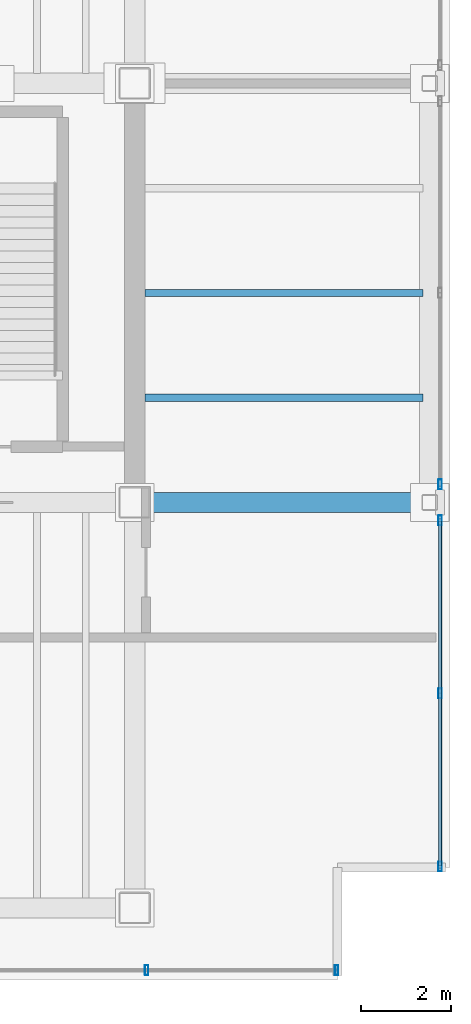
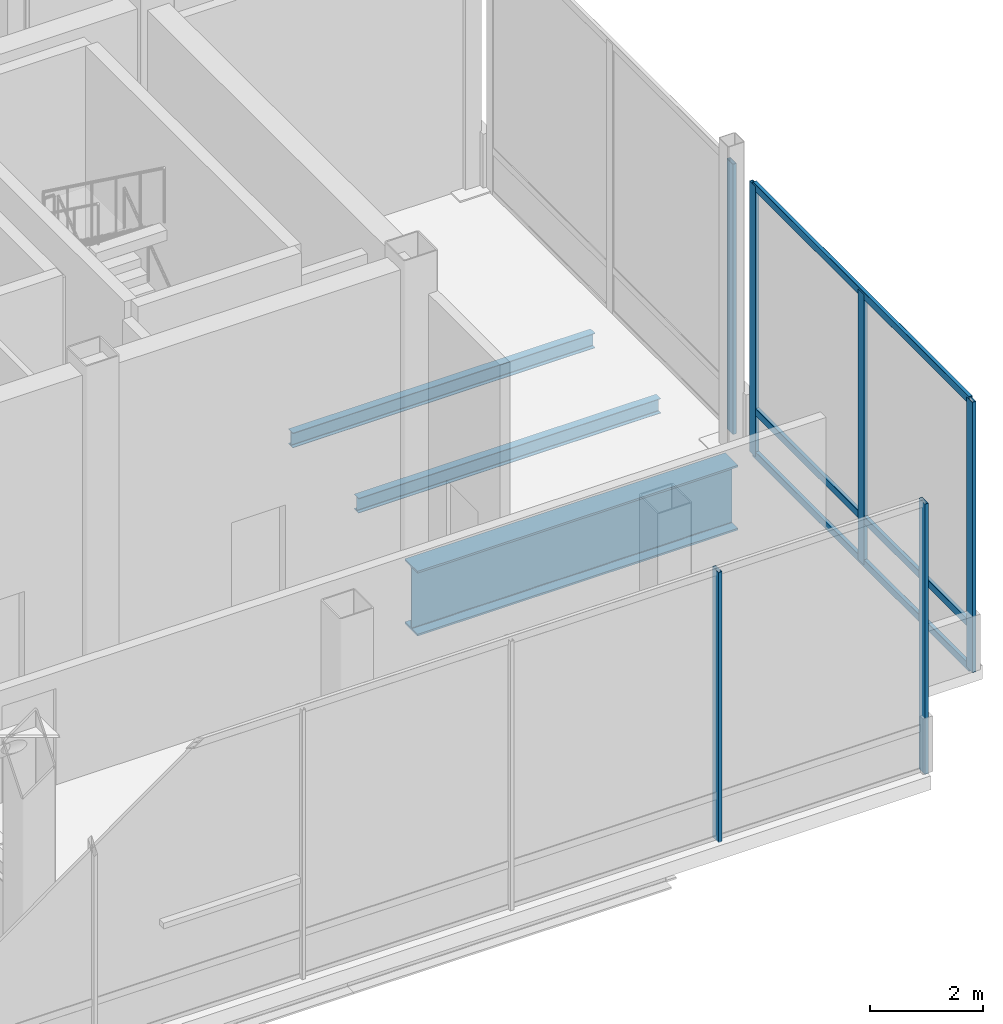
# One storey, part 14 of 19: 9 members, 3 beams, 3 elements without a shape of their own.
"""IFC4 building model written with IfcOpenShell, lengths in metres."""

from ifc_helpers import new_model, si_unit, direction, frame, origin, origin_2d, place, context, subcontext, project, spatial, hollow_rectangle, i_section, extrude, material, material_profile, profile_set, type_object, element, aggregate, save


model = new_model("IFC4")

# Units and contexts
model_context = context("Model", 3, precision=1e-05, world=origin(), true_north=direction((0.0, 1.0)))
body_context = subcontext(model_context, "Body", "Model", "MODEL_VIEW")
ifc_project = project(units=[si_unit("LENGTHUNIT", "METRE"), si_unit("AREAUNIT", "SQUARE_METRE"), si_unit("VOLUMEUNIT", "CUBIC_METRE"), si_unit("PLANEANGLEUNIT", "RADIAN"), si_unit("MASSUNIT", "GRAM", prefix="KILO")], contexts=[model_context])

# Site, building, storey
site_placement = place(None, origin())
site = spatial("IfcSite", under=ifc_project, at=site_placement, CompositionType="ELEMENT")
building_placement = place(site_placement, origin())
building = spatial("IfcBuilding", under=site, at=building_placement, Name="Noeulbin Bourse Tower", CompositionType="ELEMENT")
storey_placement = place(building_placement, frame((0.0, 0.0, 306.0)))
storey = spatial("IfcBuildingStorey", under=building, at=storey_placement, Name="L76", CompositionType="ELEMENT", Elevation=306.0)

# Beams
ifc_material_1 = material(Name="Steel S355", Category="steel")
ifc_material_profile_1 = material_profile(ifc_material_1, i_section(OverallWidth=0.159912109375, OverallDepth=0.320068359375, WebThickness=0.006591796875, FlangeThickness=0.010009765625, FilletRadius=0.012939453125, at=origin_2d()), Name="H-320x160x6.5x10", Category="LoadBearing")
ifc_profile_set_1 = profile_set([ifc_material_profile_1], Name="Steel S355")
beam_type_1 = type_object("IfcBeamType", Name="BM-JST-320", PredefinedType="JOIST", material=ifc_profile_set_1)
for number, where, z_axis, x_axis, name in (
    (1, (44.22509765625, 31.324951171875, -0.4599609375), (1.0, 0.0, 0.0), (0.0, 1.0, 0.0), "Wing Composite Joist L76-E31"),
    (2, (44.22509765625, 33.64990234375, -0.4599609375), (1.0, 0.0, 0.0), (0.0, 1.0, 0.0), "Wing Composite Joist L76-E32"),
):
    element("IfcBeam", number, at=place(storey_placement, frame(where, z_axis=z_axis, x_axis=x_axis)), inside=storey, type_object=beam_type_1, Name=name, PredefinedType="JOIST", context=body_context, shape_type="SweptSolid", body=[
        extrude(i_section(OverallWidth=0.159912109375, OverallDepth=0.320068359375, WebThickness=0.006591796875, FlangeThickness=0.010009765625, FilletRadius=0.012939453125, at=origin_2d()), origin(), (0.0, 0.0, 1.0), 6.1748046875),
    ])
ifc_material_2 = material(Name="Steel S460", Category="steel")
ifc_material_profile_2 = material_profile(ifc_material_2, i_section(OverallWidth=0.449951171875, OverallDepth=1.39990234375, WebThickness=0.02392578125, FlangeThickness=0.0400390625, FilletRadius=0.02392578125, at=origin_2d()), Name="PG-1400x450x24x40", Category="LoadBearing")
ifc_profile_set_2 = profile_set([ifc_material_profile_2], Name="Steel S460")
beam_type_2 = type_object("IfcBeamType", Name="BM-TRF-1400", PredefinedType="USERDEFINED", material=ifc_profile_set_2)
beam_placement = place(storey_placement, frame((44.0, 29.0, -1.0), z_axis=(1.0, 0.0, 0.0), x_axis=(0.0, 1.0, 0.0)))
element("IfcBeam", 3, at=beam_placement, inside=storey, type_object=beam_type_2, Name="Tower Primary Girder EW L76-2.4", ObjectType="GIRDER", PredefinedType="USERDEFINED", context=body_context, shape_type="SweptSolid", body=[
    extrude(i_section(OverallWidth=0.449951171875, OverallDepth=1.39990234375, WebThickness=0.02392578125, FlangeThickness=0.0400390625, FilletRadius=0.02392578125, at=origin_2d()), origin(), (0.0, 0.0, 1.0), 6.550048828125),
])

# Curtain wall, members
ifc_material_3 = material(Name="Translucent Ceramic-Fritted Glass", Category="glass")
curtain_wall_type = type_object("IfcCurtainWallType", Name="CW-SYS-5", PredefinedType="NOTDEFINED", material=ifc_material_3)
curtain_wall_1_placement = place(storey_placement, origin())
curtain_wall_1 = element("IfcCurtainWall", 4, at=curtain_wall_1_placement, inside=storey, type_object=curtain_wall_type, Name="Unitised Curtain Wall CW-L76-S1", PredefinedType="NOTDEFINED")
ifc_material_4 = material(Name="Anodised Aluminium 6063-T6", Category="aluminium")
ifc_material_profile_3 = material_profile(ifc_material_4, hollow_rectangle(XDim=0.074951171875, YDim=0.219970703125, WallThickness=0.0048828125, InnerFilletRadius=0.00244140625, OuterFilletRadius=0.0048828125, at=origin_2d()), Name="ALU-MULL-75x220x5", Category="LoadBearing")
ifc_profile_set_3 = profile_set([ifc_material_profile_3], Name="Anodised Aluminium 6063-T6")
member_type_1 = type_object("IfcMemberType", Name="CW-SYS-5-MUL", PredefinedType="MULLION", material=ifc_profile_set_3)
member_1_placement = place(storey_placement, frame((44.264892578125, 18.6201171875, -0.02001953125), z_axis=(0.0, 0.0, 1.0), x_axis=(1.0, 0.0, 0.0)))
member_1 = element("IfcMember", 5, at=member_1_placement, type_object=member_type_1, Name="Curtain Wall Mullion CW-L76-S1-M07", PredefinedType="MULLION", context=body_context, shape_type="SweptSolid", body=[
    extrude(hollow_rectangle(XDim=0.074951171875, YDim=0.219970703125, WallThickness=0.0048828125, InnerFilletRadius=0.00244140625, OuterFilletRadius=0.0048828125, at=origin_2d()), origin(), (0.0, 0.0, 1.0), 5.840087890625),
])
member_2_placement = place(storey_placement, frame((48.47998046875, 18.6201171875, -0.02001953125), z_axis=(0.0, 0.0, 1.0), x_axis=(1.0, 0.0, 0.0)))
member_2 = element("IfcMember", 6, at=member_2_placement, type_object=member_type_1, Name="Curtain Wall Mullion CW-L76-S1-M08", PredefinedType="MULLION", context=body_context, shape_type="SweptSolid", body=[
    extrude(hollow_rectangle(XDim=0.074951171875, YDim=0.219970703125, WallThickness=0.0048828125, InnerFilletRadius=0.00244140625, OuterFilletRadius=0.0048828125, at=origin_2d()), origin(), (0.0, 0.0, 1.0), 5.840087890625),
])
aggregate(curtain_wall_1, [member_1, member_2])

curtain_wall_2_placement = place(storey_placement, origin())
curtain_wall_2 = element("IfcCurtainWall", 7, at=curtain_wall_2_placement, inside=storey, type_object=curtain_wall_type, Name="Unitised Curtain Wall CW-L76-E-S1", PredefinedType="NOTDEFINED")
member_3_placement = place(storey_placement, frame((50.780029296875, 20.919921875, -0.02001953125), z_axis=(0.0, 0.0, 1.0), x_axis=(1.0, 0.0, 0.0)))
member_3 = element("IfcMember", 8, at=member_3_placement, type_object=member_type_1, Name="Curtain Wall Mullion CW-L76-E-S1-M00", PredefinedType="MULLION", context=body_context, shape_type="SweptSolid", body=[
    extrude(hollow_rectangle(XDim=0.074951171875, YDim=0.219970703125, WallThickness=0.0048828125, InnerFilletRadius=0.00244140625, OuterFilletRadius=0.0048828125, at=origin_2d()), origin(), (0.0, 0.0, 1.0), 5.840087890625),
])
member_4_placement = place(storey_placement, frame((50.780029296875, 24.760009765625, -0.02001953125), z_axis=(0.0, 0.0, 1.0), x_axis=(1.0, 0.0, 0.0)))
member_4 = element("IfcMember", 9, at=member_4_placement, type_object=member_type_1, Name="Curtain Wall Mullion CW-L76-E-S1-M01", PredefinedType="MULLION", context=body_context, shape_type="SweptSolid", body=[
    extrude(hollow_rectangle(XDim=0.074951171875, YDim=0.219970703125, WallThickness=0.0048828125, InnerFilletRadius=0.00244140625, OuterFilletRadius=0.0048828125, at=origin_2d()), origin(), (0.0, 0.0, 1.0), 5.840087890625),
])
member_5_placement = place(storey_placement, frame((50.780029296875, 28.60009765625, -0.02001953125), z_axis=(0.0, 0.0, 1.0), x_axis=(1.0, 0.0, 0.0)))
member_5 = element("IfcMember", 10, at=member_5_placement, type_object=member_type_1, Name="Curtain Wall Mullion CW-L76-E-S1-M02", PredefinedType="MULLION", context=body_context, shape_type="SweptSolid", body=[
    extrude(hollow_rectangle(XDim=0.074951171875, YDim=0.219970703125, WallThickness=0.0048828125, InnerFilletRadius=0.00244140625, OuterFilletRadius=0.0048828125, at=origin_2d()), origin(), (0.0, 0.0, 1.0), 5.840087890625),
])

# Curtain wall, member
curtain_wall_3_placement = place(storey_placement, origin())
curtain_wall_3 = element("IfcCurtainWall", 11, at=curtain_wall_3_placement, inside=storey, type_object=curtain_wall_type, Name="Unitised Curtain Wall CW-L76-E-S2", PredefinedType="NOTDEFINED")
member_6_placement = place(storey_placement, frame((50.780029296875, 29.39990234375, -0.02001953125), z_axis=(0.0, 0.0, 1.0), x_axis=(1.0, 0.0, 0.0)))
member_6 = element("IfcMember", 12, at=member_6_placement, type_object=member_type_1, Name="Curtain Wall Mullion CW-L76-E-S2-M00", PredefinedType="MULLION", context=body_context, shape_type="SweptSolid", body=[
    extrude(hollow_rectangle(XDim=0.074951171875, YDim=0.219970703125, WallThickness=0.0048828125, InnerFilletRadius=0.00244140625, OuterFilletRadius=0.0048828125, at=origin_2d()), origin(), (0.0, 0.0, 1.0), 5.840087890625),
])
aggregate(curtain_wall_3, [member_6])

# Member
ifc_material_profile_4 = material_profile(ifc_material_4, hollow_rectangle(XDim=0.074951171875, YDim=0.159912109375, WallThickness=0.0048828125, InnerFilletRadius=0.00244140625, OuterFilletRadius=0.0048828125, at=origin_2d()), Name="ALU-TRAN-75x160x5", Category="LoadBearing")
ifc_profile_set_4 = profile_set([ifc_material_profile_4], Name="Anodised Aluminium 6063-T6")
member_type_2 = type_object("IfcMemberType", Name="CW-SYS-5-TRN", PredefinedType="USERDEFINED", material=ifc_profile_set_4)
member_7_placement = place(storey_placement, frame((50.780029296875, 20.929931640625, 0.010009765625), z_axis=(0.0, 1.0, 0.0), x_axis=(-1.0, 0.0, 0.0)))
member_7 = element("IfcMember", 13, at=member_7_placement, type_object=member_type_2, Name="Curtain Wall Transom CW-L76-E-S1-T00", ObjectType="TRANSOM", PredefinedType="USERDEFINED", context=body_context, shape_type="SweptSolid", body=[
    extrude(hollow_rectangle(XDim=0.074951171875, YDim=0.159912109375, WallThickness=0.0048828125, InnerFilletRadius=0.00244140625, OuterFilletRadius=0.0048828125, at=origin_2d()), origin(), (0.0, 0.0, 1.0), 7.66015625),
])

member_8_placement = place(storey_placement, frame((50.780029296875, 20.929931640625, 0.949951171875), z_axis=(0.0, 1.0, 0.0), x_axis=(-1.0, 0.0, 0.0)))
member_8 = element("IfcMember", 14, at=member_8_placement, type_object=member_type_2, Name="Curtain Wall Transom CW-L76-E-S1-T01", ObjectType="TRANSOM", PredefinedType="USERDEFINED", context=body_context, shape_type="SweptSolid", body=[
    extrude(hollow_rectangle(XDim=0.074951171875, YDim=0.159912109375, WallThickness=0.0048828125, InnerFilletRadius=0.00244140625, OuterFilletRadius=0.0048828125, at=origin_2d()), origin(), (0.0, 0.0, 1.0), 7.66015625),
])

member_9_placement = place(storey_placement, frame((50.780029296875, 20.929931640625, 5.7900390625), z_axis=(0.0, 1.0, 0.0), x_axis=(-1.0, 0.0, 0.0)))
member_9 = element("IfcMember", 15, at=member_9_placement, type_object=member_type_2, Name="Curtain Wall Transom CW-L76-E-S1-T02", ObjectType="TRANSOM", PredefinedType="USERDEFINED", context=body_context, shape_type="SweptSolid", body=[
    extrude(hollow_rectangle(XDim=0.074951171875, YDim=0.159912109375, WallThickness=0.0048828125, InnerFilletRadius=0.00244140625, OuterFilletRadius=0.0048828125, at=origin_2d()), origin(), (0.0, 0.0, 1.0), 7.66015625),
])

aggregate(curtain_wall_2, [member_3, member_4, member_5, member_7, member_8, member_9])

save(model, "model.ifc")
